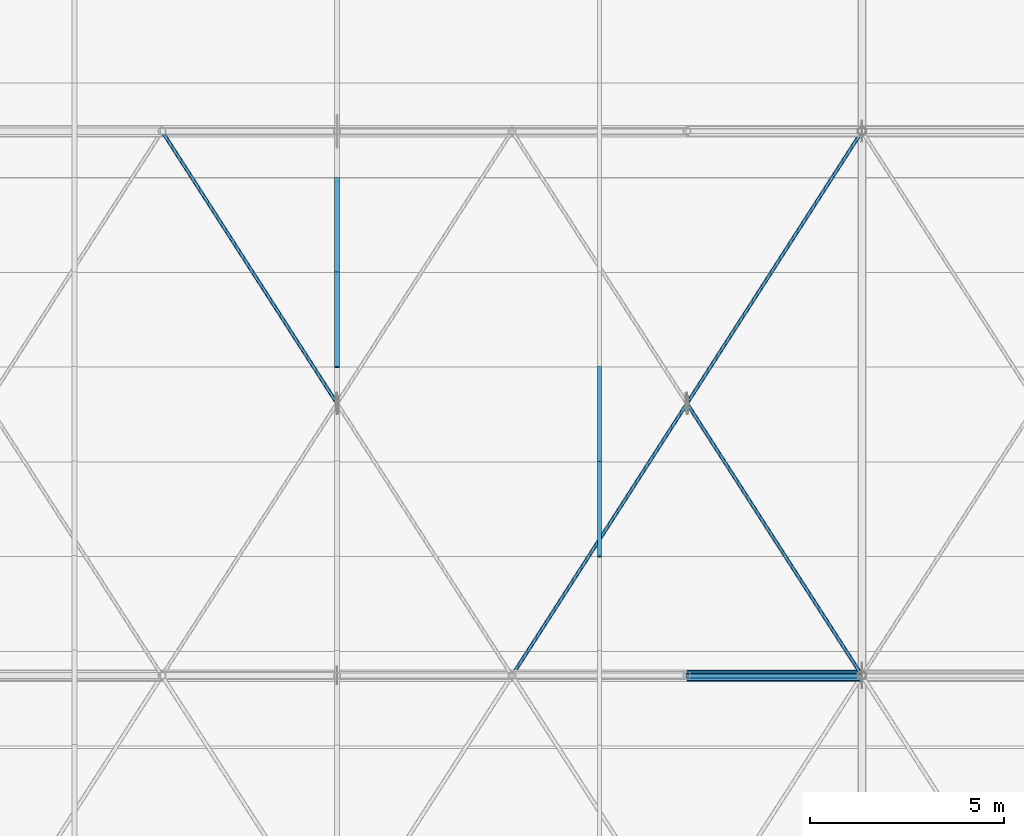
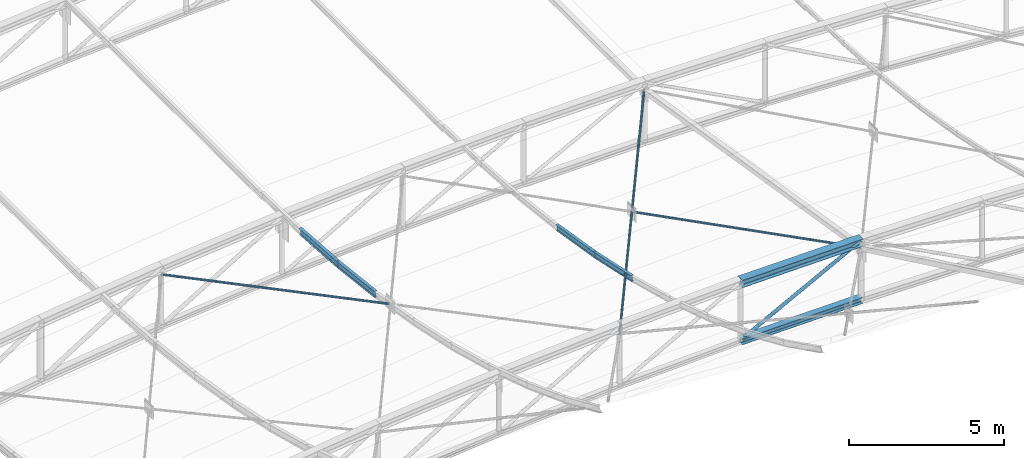
# One storey, part 145 of 262: 10 members.
"""IFC4 building model written with IfcOpenShell, lengths in metres."""

from ifc_helpers import new_model, si_unit, derived_unit, direction, frame, origin, origin_2d, place, context, subcontext, project, spatial, hollow_circle, i_section, extrude, material, material_profile, profile_set, type_object, element, save


model = new_model("IFC4")

# Units and contexts
model_context = context("Model", 3, precision=1e-05, world=origin(), true_north=direction((0.0, 1.0)))
body_context = subcontext(model_context, "Body", "Model", "MODEL_VIEW")
ifc_project = project(units=[si_unit("LENGTHUNIT", "METRE"), si_unit("AREAUNIT", "SQUARE_METRE"), si_unit("VOLUMEUNIT", "CUBIC_METRE"), si_unit("PLANEANGLEUNIT", "RADIAN"), si_unit("MASSUNIT", "GRAM", prefix="KILO"), derived_unit("THERMALTRANSMITTANCEUNIT", [(si_unit("POWERUNIT", "WATT"), 1), (si_unit("LENGTHUNIT", "METRE"), -2), (si_unit("THERMODYNAMICTEMPERATUREUNIT", "KELVIN"), -1)])], contexts=[model_context])

# Site, building, storey
site_placement = place(None, origin())
site = spatial("IfcSite", under=ifc_project, at=site_placement, CompositionType="ELEMENT")
building_placement = place(site_placement, origin())
building = spatial("IfcBuilding", under=site, at=building_placement, Name="Almenara Railside Exhibition Hall", CompositionType="ELEMENT")
storey_placement = place(building_placement, frame((0.0, 0.0, 21.699951171875)))
storey = spatial("IfcBuildingStorey", under=building, at=storey_placement, Name="RF", CompositionType="ELEMENT", Elevation=21.699951171875)

# Members
ifc_material = material(Name="Structural steel S355JR", Category="steel")
ifc_material_profile_1 = material_profile(ifc_material, i_section(OverallWidth=0.239990234375, OverallDepth=0.239990234375, WebThickness=0.010009765625, FlangeThickness=0.01708984375, FilletRadius=0.02099609375, at=origin_2d()), Name="HEB 240")
ifc_profile_set_1 = profile_set([ifc_material_profile_1], Name="Structural steel S355JR")
member_type_1 = type_object("IfcMemberType", Name="Arched Crown Bottom Chord HEB 240 S355JR", PredefinedType="CHORD", material=ifc_profile_set_1)
member_1_placement = place(storey_placement, frame((160.5, 48.0, -5.177490234375), z_axis=(0.999908030213, 0.0, 0.013562120635), x_axis=(0.0, 1.0, 0.0)))
element("IfcMember", 1, at=member_1_placement, inside=storey, type_object=member_type_1, Name="MEM-BC-V2-01-05", PredefinedType="CHORD", context=body_context, shape_type="SweptSolid", body=[
    extrude(i_section(OverallWidth=0.239990234375, OverallDepth=0.239990234375, WebThickness=0.010009765625, FlangeThickness=0.01708984375, FilletRadius=0.02099609375, at=origin_2d()), origin(), (0.0, 0.0, 1.0), 4.50048828125),
])
ifc_material_profile_2 = material_profile(ifc_material, i_section(OverallWidth=0.300048828125, OverallDepth=0.300048828125, WebThickness=0.010986328125, FlangeThickness=0.01904296875, FilletRadius=0.027099609375, at=origin_2d()), Name="HEB 300")
ifc_profile_set_2 = profile_set([ifc_material_profile_2], Name="Structural steel S355JR")
member_type_2 = type_object("IfcMemberType", Name="Arched Inner Top Chord HEB 300 S355JR", PredefinedType="CHORD", material=ifc_profile_set_2)
member_2_placement = place(storey_placement, frame((160.5, 48.0, -2.87744140625), z_axis=(0.999908030213, 0.0, 0.013562120635), x_axis=(0.0, 1.0, 0.0)))
element("IfcMember", 2, at=member_2_placement, inside=storey, type_object=member_type_2, Name="MEM-TC-V2-01-05", PredefinedType="CHORD", context=body_context, shape_type="SweptSolid", body=[
    extrude(i_section(OverallWidth=0.300048828125, OverallDepth=0.300048828125, WebThickness=0.010986328125, FlangeThickness=0.01904296875, FilletRadius=0.027099609375, at=origin_2d()), origin(), (0.0, 0.0, 1.0), 4.50048828125),
])
ifc_material_profile_3 = material_profile(ifc_material, hollow_circle(Radius=0.04443359375, WallThickness=0.00390625, at=origin_2d()), Name="CHS 88.9x4")
ifc_profile_set_3 = profile_set([ifc_material_profile_3], Name="Structural steel S355JR")
member_type_3 = type_object("IfcMemberType", Name="Canopy Tie Brace CHS 88.9x4 S355JR", PredefinedType="BRACE", material=ifc_profile_set_3)
member_3_placement = place(storey_placement, frame((151.47412109375, 55.0400390625, -4.8505859375), z_axis=(-0.532157901473, 0.827826991989, -0.177511800268), x_axis=(-0.841186144987, -0.540745660623, 0.0)))
element("IfcMember", 3, at=member_3_placement, inside=storey, type_object=member_type_3, Name="MEM-WB-V2-WB-CHS89-01-02-S2", PredefinedType="BRACE", context=body_context, shape_type="SweptSolid", body=[
    extrude(hollow_circle(Radius=0.04443359375, WallThickness=0.00390625, at=origin_2d()), origin(), (0.0, 0.0, 1.0), 8.407470703125),
])
member_4_placement = place(storey_placement, frame((156.0, 48.0, -3.3408203125), z_axis=(0.536801148968, 0.835024009506, -0.120745310526), x_axis=(-0.841178475377, 0.540757591313, 0.0)))
element("IfcMember", 4, at=member_4_placement, inside=storey, type_object=member_type_3, Name="MEM-WB-V2-WB-CHS89-01-04-C", PredefinedType="BRACE", context=body_context, shape_type="SweptSolid", body=[
    extrude(hollow_circle(Radius=0.04443359375, WallThickness=0.00390625, at=origin_2d()), origin(), (0.0, 0.0, 1.0), 16.765869140625),
])
member_5_placement = place(storey_placement, frame((165.0, 48.0, -3.096435546875), z_axis=(-0.534695986995, 0.831746071225, -0.149327407041), x_axis=(-0.84117751664, -0.540759082679, 0.0)))
element("IfcMember", 5, at=member_5_placement, inside=storey, type_object=member_type_3, Name="MEM-WB-V2-WB-CHS89-01-04-S1", PredefinedType="BRACE", context=body_context, shape_type="SweptSolid", body=[
    extrude(hollow_circle(Radius=0.04443359375, WallThickness=0.00390625, at=origin_2d()), origin(), (0.0, 0.0, 1.0), 8.36767578125),
])
ifc_material_profile_4 = material_profile(ifc_material, i_section(OverallWidth=0.110107421875, OverallDepth=0.219970703125, WebThickness=0.005859375, FlangeThickness=0.00927734375, FilletRadius=0.011962890625, at=origin_2d()), Name="IPE 220")
ifc_profile_set_4 = profile_set([ifc_material_profile_4], Name="Structural steel S355JR")
member_type_4 = type_object("IfcMemberType", Name="Heavy Hall Roof Purlin IPE 220 S355JR", PredefinedType="PURLIN", material=ifc_profile_set_4)
member_6_placement = place(storey_placement, frame((158.25, 51.056884765625, -3.80419921875), z_axis=(0.0, 0.977496103583, -0.210953472309), x_axis=(-1.0, 0.0, 0.0)))
element("IfcMember", 6, at=member_6_placement, inside=storey, type_object=member_type_4, Name="MEM-PR-V2-PR-IPE220-03-07", PredefinedType="PURLIN", context=body_context, shape_type="SweptSolid", body=[
    extrude(i_section(OverallWidth=0.110107421875, OverallDepth=0.219970703125, WebThickness=0.005859375, FlangeThickness=0.00927734375, FilletRadius=0.011962890625, at=origin_2d()), origin(), (0.0, 0.0, 1.0), 2.492919921875),
])
member_7_placement = place(storey_placement, frame((158.25, 53.49365234375, -4.3271484375), z_axis=(0.0, 0.986449960692, -0.164062412058), x_axis=(-1.0, 0.0, 0.0)))
element("IfcMember", 7, at=member_7_placement, inside=storey, type_object=member_type_4, Name="MEM-PR-V2-PR-IPE220-03-08", PredefinedType="PURLIN", context=body_context, shape_type="SweptSolid", body=[
    extrude(i_section(OverallWidth=0.110107421875, OverallDepth=0.219970703125, WebThickness=0.005859375, FlangeThickness=0.00927734375, FilletRadius=0.011962890625, at=origin_2d()), origin(), (0.0, 0.0, 1.0), 2.47021484375),
])
ifc_material_profile_5 = material_profile(ifc_material, i_section(OverallWidth=0.1201171875, OverallDepth=0.239990234375, WebThickness=0.006103515625, FlangeThickness=0.009765625, FilletRadius=0.014892578125, at=origin_2d()), Name="IPE 240")
ifc_profile_set_5 = profile_set([ifc_material_profile_5], Name="Structural steel S355JR")
member_type_5 = type_object("IfcMemberType", Name="Scroll Roof Purlin IPE 240 S355JR", PredefinedType="PURLIN", material=ifc_profile_set_5)
member_8_placement = place(storey_placement, frame((151.5, 55.930419921875, -5.017822265625), z_axis=(0.0, 0.993105700961, -0.117222296166), x_axis=(-1.0, 0.0, 0.0)))
element("IfcMember", 8, at=member_8_placement, inside=storey, type_object=member_type_5, Name="MEM-PR-V2-PR-IPE240-02-09", PredefinedType="PURLIN", context=body_context, shape_type="SweptSolid", body=[
    extrude(i_section(OverallWidth=0.1201171875, OverallDepth=0.239990234375, WebThickness=0.006103515625, FlangeThickness=0.009765625, FilletRadius=0.014892578125, at=origin_2d()), origin(), (0.0, 0.0, 1.0), 2.453369140625),
])
member_9_placement = place(storey_placement, frame((151.5, 58.366943359375, -5.303955078125), z_axis=(0.0, 0.997528729247, -0.070259763216), x_axis=(-1.0, 0.0, 0.0)))
element("IfcMember", 9, at=member_9_placement, inside=storey, type_object=member_type_5, Name="MEM-PR-V2-PR-IPE240-02-10", PredefinedType="PURLIN", context=body_context, shape_type="SweptSolid", body=[
    extrude(i_section(OverallWidth=0.1201171875, OverallDepth=0.239990234375, WebThickness=0.006103515625, FlangeThickness=0.009765625, FilletRadius=0.014892578125, at=origin_2d()), origin(), (0.0, 0.0, 1.0), 2.44287109375),
])
ifc_material_profile_6 = material_profile(ifc_material, hollow_circle(Radius=0.0634765625, WallThickness=0.00439453125, at=origin_2d()), Name="CHS 127.0x4.5")
ifc_profile_set_6 = profile_set([ifc_material_profile_6], Name="Structural steel S355JR")
member_type_6 = type_object("IfcMemberType", Name="Truss Crown Diagonal CHS 127.0x4.5 S355JR", PredefinedType="BRACE", material=ifc_profile_set_6)
member_10_placement = place(storey_placement, frame((160.5, 48.0, -5.177490234375), z_axis=(0.885512555589, 0.0, 0.464615447326), x_axis=(0.0, 1.0, 0.0)))
element("IfcMember", 10, at=member_10_placement, inside=storey, type_object=member_type_6, Name="MEM-TD-V2-01-05", PredefinedType="BRACE", context=body_context, shape_type="SweptSolid", body=[
    extrude(hollow_circle(Radius=0.0634765625, WallThickness=0.00439453125, at=origin_2d()), origin(), (0.0, 0.0, 1.0), 5.081787109375),
])

save(model, "model.ifc")
